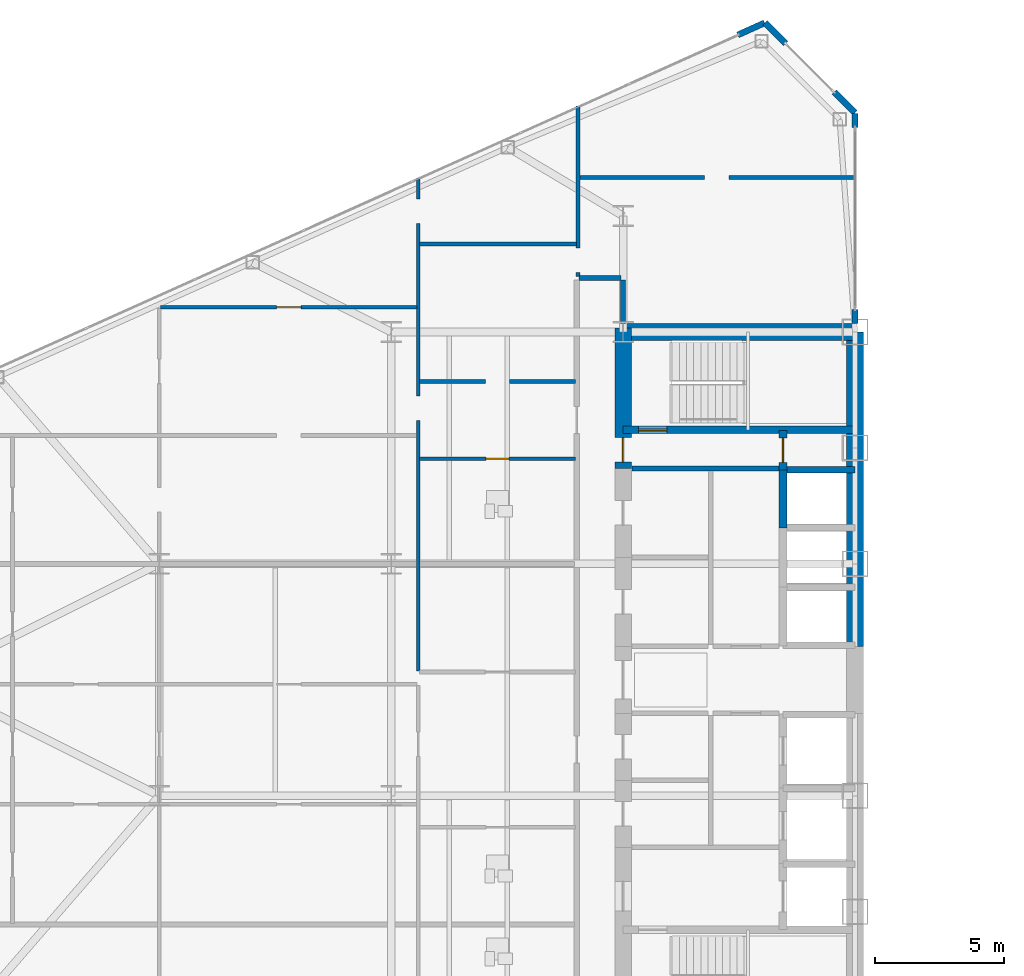
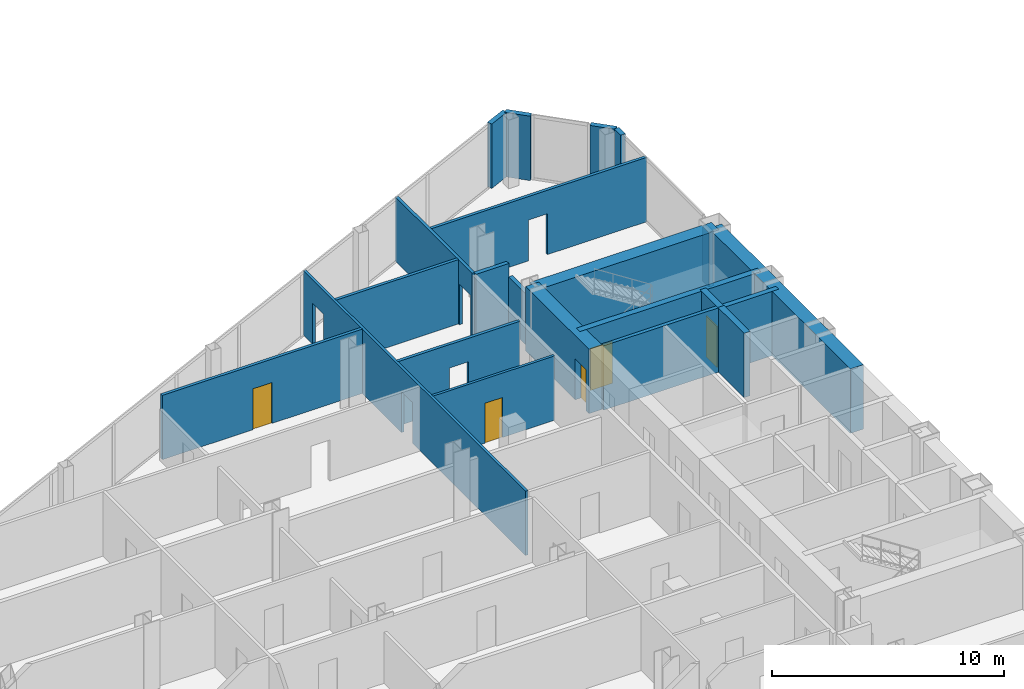
# One storey, part 21 of 27: 22 walls, 5 doors, 10 openings.
"""IFC4 building model written with IfcOpenShell, lengths in metres."""

from ifc_helpers import new_model, si_unit, direction, frame, frame_2d, origin, place, context, subcontext, project, spatial, rectangle, extrude, source, transform, mapped, material, layer, layer_set, type_object, type_shapes, element, fill, save


model = new_model("IFC4")

# Units and contexts
model_context = context("Model", 3, precision=1e-05, world=origin(), true_north=direction((0.0, 1.0)))
body_context = subcontext(model_context, "Body", "Model", "MODEL_VIEW")
ifc_project = project(units=[si_unit("LENGTHUNIT", "METRE"), si_unit("AREAUNIT", "SQUARE_METRE"), si_unit("VOLUMEUNIT", "CUBIC_METRE"), si_unit("PLANEANGLEUNIT", "RADIAN"), si_unit("MASSUNIT", "GRAM", prefix="KILO")], contexts=[model_context])

# Site, building, storey
site_placement = place(None, origin())
site = spatial("IfcSite", under=ifc_project, at=site_placement, CompositionType="ELEMENT")
building_placement = place(site_placement, origin())
building = spatial("IfcBuilding", under=site, at=building_placement, Name="Seokmaru Belvedere", CompositionType="ELEMENT")
storey_placement = place(building_placement, frame((0.0, 0.0, 72.89990234375)))
storey = spatial("IfcBuildingStorey", under=building, at=storey_placement, Name="L19", CompositionType="ELEMENT", Elevation=72.89990234375)

# Wall, opening
ifc_material_1 = material(Name="Fire-Rated Gypsum Shaftwall")
ifc_layer_1 = layer(ifc_material_1, 0.14990234375)
ifc_layer_set_1 = layer_set([ifc_layer_1], Name="Fire-Rated Gypsum Shaftwall")
wall_type_1 = type_object("IfcWallType", Name="Apartment Fire-Acoustic Room Partition 150", PredefinedType="PARTITIONING", material=ifc_layer_set_1)
wall_1_placement = place(storey_placement, frame((-44.39990234375, 11.580078125, 0.0), z_axis=(0.0, 0.0, 1.0), x_axis=(1.0, 0.0, 0.0)))
wall_1 = element("IfcWall", 1, at=wall_1_placement, inside=storey, type_object=wall_type_1, Name="L19 Interior Partition 023", PredefinedType="PARTITIONING", context=body_context, shape_type="SweptSolid", body=[
    extrude(rectangle(XDim=6.0498046875, YDim=0.14990234375, at=frame_2d((3.02490234375, 0.0))), origin(), (0.0, 0.0, 1.0), 3.380126953125),
])
opening_1_placement = place(wall_1_placement, frame((2.550048828125, 0.0, 0.0)))
element("IfcOpeningElement", 2, at=opening_1_placement, cuts=wall_1, Name="L19 Cased Opening 023", PredefinedType="OPENING", context=body_context, shape_type="SweptSolid", body=[
    extrude(rectangle(XDim=0.949951171875, YDim=2.14990234375, at=frame_2d((0.47509765625, 1.074951171875))), frame((0.0, 0.0849609375, 0.0), z_axis=(0.0, -1.0, 0.0), x_axis=(1.0, 0.0, 0.0)), (0.0, 0.0, 1.0), 0.169921875),
])

# Wall, opening, door
wall_2_placement = place(storey_placement, frame((-54.449951171875, 14.4599609375, 0.0), z_axis=(0.0, 0.0, 1.0), x_axis=(1.0, 0.0, 0.0)))
wall_2 = element("IfcWall", 3, at=wall_2_placement, inside=storey, type_object=wall_type_1, Name="L19 Interior Partition 025", PredefinedType="PARTITIONING", context=body_context, shape_type="SweptSolid", body=[
    extrude(rectangle(XDim=9.949951171875, YDim=0.14990234375, at=frame_2d((4.97509765625, 0.0))), origin(), (0.0, 0.0, 1.0), 3.380126953125),
])
opening_2_placement = place(wall_2_placement, frame((4.5, 0.0, 0.0)))
opening_2 = element("IfcOpeningElement", 4, at=opening_2_placement, cuts=wall_2, Name="Opening D05", PredefinedType="OPENING", context=body_context, shape_type="SweptSolid", body=[
    extrude(rectangle(XDim=0.949951171875, YDim=2.14990234375, at=frame_2d((0.47509765625, 1.074951171875))), frame((0.0, 0.0849609375, 0.0), z_axis=(0.0, -1.0, 0.0), x_axis=(1.0, 0.0, 0.0)), (0.0, 0.0, 1.0), 0.169921875),
])
ifc_material_2 = material(Name="Engineered White Oak Timber", Category="wood")
door_type_1 = type_object("IfcDoorType", Name="Apartment Interior Fire-Rated Oak Door 950x2150", OperationType="NOTDEFINED", PredefinedType="DOOR", material=ifc_material_2)
shared_shape_1 = source(origin(), body_context, "Body", "SweptSolid", [
    extrude(rectangle(XDim=0.949951171875, YDim=2.14990234375, at=frame_2d((0.47509765625, 1.074951171875))), frame((0.0, 0.02490234375, 0.0), z_axis=(0.0, -1.0, 0.0), x_axis=(1.0, 0.0, 0.0)), (0.0, 0.0, 1.0), 0.050048828125),
])
type_shapes(door_type_1, [shared_shape_1])
door_1_placement = place(opening_2_placement, origin())
door_1 = element("IfcDoor", 5, at=door_1_placement, inside=storey, type_object=door_type_1, Name="L19 Interior Door 027", OperationType="SINGLE_SWING_RIGHT", OverallHeight=2.14990234375, OverallWidth=0.949951171875, PredefinedType="DOOR", context=body_context, shape_type="MappedRepresentation", body=[
    mapped(shared_shape_1, transform((0.0, 0.0, 0.0), scale=1.0)),
])
fill(opening_2, door_1)

# Wall
wall_3_placement = place(storey_placement, frame((-44.39990234375, 16.909912109375, 0.0), z_axis=(0.0, 0.0, 1.0), x_axis=(1.0, 0.0, 0.0)))
element("IfcWall", 6, at=wall_3_placement, inside=storey, type_object=wall_type_1, Name="L19 Interior Partition 030", PredefinedType="PARTITIONING", context=body_context, shape_type="SweptSolid", body=[
    extrude(rectangle(XDim=6.099853515625, YDim=0.14990234375, at=frame_2d((3.0498046875, 0.0))), origin(), (0.0, 0.0, 1.0), 3.380126953125),
])

# Wall, opening
wall_4_placement = place(storey_placement, frame((-38.199951171875, 19.5, 0.0), z_axis=(0.0, 0.0, 1.0), x_axis=(1.0, 0.0, 0.0)))
wall_4 = element("IfcWall", 7, at=wall_4_placement, inside=storey, type_object=wall_type_1, Name="L19 Interior Partition 031", PredefinedType="PARTITIONING", context=body_context, shape_type="SweptSolid", body=[
    extrude(rectangle(XDim=10.73486328125, YDim=0.14990234375, at=frame_2d((5.367431640625, 0.0))), origin(), (0.0, 0.0, 1.0), 3.380126953125),
])
opening_3_placement = place(wall_4_placement, frame((4.85009765625, 0.0, 0.0)))
element("IfcOpeningElement", 8, at=opening_3_placement, cuts=wall_4, Name="L19 Cased Opening 032", PredefinedType="OPENING", context=body_context, shape_type="SweptSolid", body=[
    extrude(rectangle(XDim=0.949951171875, YDim=2.14990234375, at=frame_2d((0.47509765625, 1.074951171875))), frame((0.0, 0.0849609375, 0.0), z_axis=(0.0, -1.0, 0.0), x_axis=(1.0, 0.0, 0.0)), (0.0, 0.0, 1.0), 0.169921875),
])

wall_5_placement = place(storey_placement, frame((-38.25, 15.64990234375, 0.0), z_axis=(0.0, 0.0, 1.0), x_axis=(0.0, 1.0, 0.0)))
wall_5 = element("IfcWall", 9, at=wall_5_placement, inside=storey, type_object=wall_type_1, Name="L19 Interior Partition 040", PredefinedType="PARTITIONING", context=body_context, shape_type="SweptSolid", body=[
    extrude(rectangle(XDim=6.623046875, YDim=0.14990234375, at=frame_2d((3.3115234375, 0.0))), origin(), (0.0, 0.0, 1.0), 3.380126953125),
])
opening_4_placement = place(wall_5_placement, frame((0.159912109375, 0.0, 0.0)))
element("IfcOpeningElement", 10, at=opening_4_placement, cuts=wall_5, Name="L19 Cased Opening 031", PredefinedType="OPENING", context=body_context, shape_type="SweptSolid", body=[
    extrude(rectangle(XDim=0.949951171875, YDim=2.14990234375, at=frame_2d((0.47509765625, 1.074951171875))), frame((0.0, 0.0849609375, 0.0), z_axis=(0.0, -1.0, 0.0), x_axis=(1.0, 0.0, 0.0)), (0.0, 0.0, 1.0), 0.169921875),
])

# Walls
ifc_layer_2 = layer(ifc_material_1, 0.179931640625)
ifc_layer_set_2 = layer_set([ifc_layer_2], Name="Fire-Rated Gypsum Shaftwall")
wall_type_2 = type_object("IfcWallType", Name="Core Service Fire Partition 180", PredefinedType="PARTITIONING", material=ifc_layer_set_2)
wall_6_placement = place(storey_placement, frame((-36.14990234375, 8.199951171875, 0.0), z_axis=(0.0, 0.0, 1.0), x_axis=(1.0, 0.0, 0.0)))
element("IfcWall", 11, at=wall_6_placement, inside=storey, type_object=wall_type_2, Name="L19 West Smokeproof Vestibule Partition", PredefinedType="PARTITIONING", context=body_context, shape_type="SweptSolid", body=[
    extrude(rectangle(XDim=5.699951171875, YDim=0.179931640625, at=frame_2d((2.85009765625, 0.0))), origin(), (0.0, 0.0, 1.0), 3.380126953125),
])
ifc_material_3 = material(Name="Concrete C50 (50 MPa)", Category="concrete")
ifc_layer_3 = layer(ifc_material_3, 0.25)
ifc_layer_set_3 = layer_set([ifc_layer_3], Name="Concrete C50 (50 MPa)")
wall_type_3 = type_object("IfcWallType", Name="Hoistway Transverse Concrete Divider Wall 250", PredefinedType="SHEAR", material=ifc_layer_set_3)
wall_7_placement = place(storey_placement, frame((-30.300048828125, 8.14990234375, 0.0), z_axis=(0.0, 0.0, 1.0), x_axis=(1.0, 0.0, 0.0)))
element("IfcWall", 12, at=wall_7_placement, inside=storey, type_object=wall_type_3, Name="L19 West Hoistway Divider Core Wall 7", PredefinedType="SHEAR", context=body_context, shape_type="SweptSolid", body=[
    extrude(rectangle(XDim=2.800048828125, YDim=0.25, at=frame_2d((1.39990234375, 0.0))), origin(), (0.0, 0.0, 1.0), 3.380126953125),
])
ifc_layer_4 = layer(ifc_material_1, 0.199951171875)
ifc_layer_set_4 = layer_set([ifc_layer_4], Name="Fire-Rated Gypsum Shaftwall")
wall_type_4 = type_object("IfcWallType", Name="Inter-Tenancy Fire Compartment Partition 200", PredefinedType="PARTITIONING", material=ifc_layer_set_4)
wall_8_placement = place(storey_placement, frame((-38.215087890625, 15.60009765625, 0.0), z_axis=(0.0, 0.0, 1.0), x_axis=(1.0, 0.0, 0.0)))
element("IfcWall", 13, at=wall_8_placement, inside=storey, type_object=wall_type_4, Name="L19 Interior Partition 027", PredefinedType="PARTITIONING", context=body_context, shape_type="SweptSolid", body=[
    extrude(rectangle(XDim=1.630126953125, YDim=0.199951171875, at=frame_2d((0.81494140625, 0.0))), origin(), (0.0, 0.0, 1.0), 3.380126953125),
])
wall_9_placement = place(storey_placement, frame((-36.5, 13.830078125, 0.0), z_axis=(0.0, 0.0, 1.0), x_axis=(0.0, 1.0, 0.0)))
element("IfcWall", 14, at=wall_9_placement, inside=storey, type_object=wall_type_4, Name="L19 Interior Partition 042", PredefinedType="PARTITIONING", context=body_context, shape_type="SweptSolid", body=[
    extrude(rectangle(XDim=1.684814453125, YDim=0.199951171875, at=frame_2d((0.84228515625, 0.0))), origin(), (0.0, 0.0, 1.0), 2.68017578125),
])

# Wall, opening, door
ifc_layer_5 = layer(ifc_material_3, 0.300048828125)
ifc_layer_set_5 = layer_set([ifc_layer_5], Name="Concrete C50 (50 MPa)")
wall_type_5 = type_object("IfcWallType", Name="Internal Core Stair and Hoistway Wall 300", PredefinedType="SHEAR", material=ifc_layer_set_5)
wall_10_placement = place(storey_placement, frame((-36.5, 9.699951171875, 0.0), z_axis=(0.0, 0.0, 1.0), x_axis=(1.0, 0.0, 0.0)))
wall_10 = element("IfcWall", 15, at=wall_10_placement, inside=storey, type_object=wall_type_5, Name="L19 West Stair ST-2 Enclosure Wall", PredefinedType="SHEAR", context=body_context, shape_type="SweptSolid", body=[
    extrude(rectangle(XDim=9.0, YDim=0.300048828125, at=frame_2d((4.5, 0.0))), origin(), (0.0, 0.0, 1.0), 3.380126953125),
])
opening_5_placement = place(wall_10_placement, frame((0.60009765625, 0.0, 0.0)))
opening_5 = element("IfcOpeningElement", 16, at=opening_5_placement, cuts=wall_10, Name="Opening D01", PredefinedType="OPENING", context=body_context, shape_type="SweptSolid", body=[
    extrude(rectangle(XDim=1.10009765625, YDim=2.199951171875, at=frame_2d((0.550048828125, 1.10009765625))), frame((0.0, 0.16015625, 0.0), z_axis=(0.0, -1.0, 0.0), x_axis=(1.0, 0.0, 0.0)), (0.0, 0.0, 1.0), 0.320068359375),
])
ifc_material_4 = material(Name="Fire-Rated Steel Leaf", Category="steel")
door_type_2 = type_object("IfcDoorType", Name="Special Escape Stair Smokeproof Fire Door 1100x2200", OperationType="NOTDEFINED", PredefinedType="DOOR", material=ifc_material_4)
shared_shape_2 = source(origin(), body_context, "Body", "SweptSolid", [
    extrude(rectangle(XDim=1.10009765625, YDim=2.199951171875, at=frame_2d((0.550048828125, 1.10009765625))), frame((0.0, 0.02490234375, 0.0), z_axis=(0.0, -1.0, 0.0), x_axis=(1.0, 0.0, 0.0)), (0.0, 0.0, 1.0), 0.050048828125),
])
type_shapes(door_type_2, [shared_shape_2])
door_2_placement = place(opening_5_placement, origin())
door_2 = element("IfcDoor", 17, at=door_2_placement, inside=storey, type_object=door_type_2, Name="L19 West Special Escape Stair ST-2 Door", OperationType="SINGLE_SWING_RIGHT", OverallHeight=2.199951171875, OverallWidth=1.10009765625, PredefinedType="DOOR", context=body_context, shape_type="MappedRepresentation", body=[
    mapped(shared_shape_2, transform((0.0, 0.0, 0.0), scale=1.0)),
])
fill(opening_5, door_2)

# Wall
wall_11_placement = place(storey_placement, frame((-30.300048828125, 5.89990234375, 0.0), z_axis=(0.0, 0.0, 1.0), x_axis=(0.0, 1.0, 0.0)))
element("IfcWall", 18, at=wall_11_placement, inside=storey, type_object=wall_type_5, Name="L19 West North Hoistway Wall OBS", PredefinedType="SHEAR", context=body_context, shape_type="SweptSolid", body=[
    extrude(rectangle(XDim=2.25, YDim=0.300048828125, at=frame_2d((1.125, 0.0))), origin(), (0.0, 0.0, 1.0), 3.380126953125),
])

# Wall, opening, door
wall_12_placement = place(storey_placement, frame((-30.300048828125, 8.14990234375, 0.0), z_axis=(0.0, 0.0, 1.0), x_axis=(0.0, 1.0, 0.0)))
wall_12 = element("IfcWall", 19, at=wall_12_placement, inside=storey, type_object=wall_type_5, Name="L19 West Electrical Riser Front Wall", PredefinedType="SHEAR", context=body_context, shape_type="SweptSolid", body=[
    extrude(rectangle(XDim=1.530029296875, YDim=0.300048828125, at=frame_2d((0.76513671875, 0.0))), origin(), (0.0, 0.0, 1.0), 3.380126953125),
])
opening_6_placement = place(wall_12_placement, frame((0.284912109375, 0.0, 0.0)))
opening_6 = element("IfcOpeningElement", 20, at=opening_6_placement, cuts=wall_12, Name="Opening D04", PredefinedType="OPENING", context=body_context, shape_type="SweptSolid", body=[
    extrude(rectangle(XDim=0.949951171875, YDim=2.14990234375, at=frame_2d((0.47509765625, 1.074951171875))), frame((0.0, 0.16015625, 0.0), z_axis=(0.0, -1.0, 0.0), x_axis=(1.0, 0.0, 0.0)), (0.0, 0.0, 1.0), 0.320068359375),
])
door_type_3 = type_object("IfcDoorType", Name="Core Service Room Fire Door 950x2150", OperationType="NOTDEFINED", PredefinedType="DOOR", material=ifc_material_4)
shared_shape_3 = source(origin(), body_context, "Body", "SweptSolid", [
    extrude(rectangle(XDim=0.949951171875, YDim=2.14990234375, at=frame_2d((0.47509765625, 1.074951171875))), frame((0.0, 0.02490234375, 0.0), z_axis=(0.0, -1.0, 0.0), x_axis=(1.0, 0.0, 0.0)), (0.0, 0.0, 1.0), 0.050048828125),
])
type_shapes(door_type_3, [shared_shape_3])
door_3_placement = place(opening_6_placement, origin())
door_3 = element("IfcDoor", 21, at=door_3_placement, inside=storey, type_object=door_type_3, Name="L19 West Electrical Riser Access Door", OperationType="SINGLE_SWING_LEFT", OverallHeight=2.14990234375, OverallWidth=0.949951171875, PredefinedType="DOOR", context=body_context, shape_type="MappedRepresentation", body=[
    mapped(shared_shape_3, transform((0.0, 0.0, 0.0), scale=1.0)),
])
fill(opening_6, door_3)

# Walls
ifc_material_5 = material(Name="Concrete C60 (60 MPa)", Category="concrete")
ifc_layer_6 = layer(ifc_material_5, 0.64990234375)
ifc_layer_set_6 = layer_set([ifc_layer_6], Name="Concrete C60 (60 MPa)")
wall_type_6 = type_object("IfcWallType", Name="Mid-Low Reinforced Concrete Core Wall 650", PredefinedType="SHEAR", material=ifc_layer_set_6)
wall_13_placement = place(storey_placement, frame((-27.5, 1.300048828125, 0.0), z_axis=(0.0, 0.0, 1.0), x_axis=(0.0, 1.0, 0.0)))
element("IfcWall", 22, at=wall_13_placement, inside=storey, type_object=wall_type_6, Name="L19 West Portal Spine Core Wall North", PredefinedType="SHEAR", context=body_context, shape_type="SweptSolid", body=[
    extrude(rectangle(XDim=12.199951171875, YDim=0.64990234375, at=frame_2d((6.10009765625, 0.0))), origin(), (0.0, 0.0, 1.0), 3.380126953125),
])
wall_14_placement = place(storey_placement, frame((-36.5, 13.5, 0.0), z_axis=(0.0, 0.0, 1.0), x_axis=(1.0, 0.0, 0.0)))
element("IfcWall", 23, at=wall_14_placement, inside=storey, type_object=wall_type_6, Name="L19 West North Core Wall", PredefinedType="SHEAR", context=body_context, shape_type="SweptSolid", body=[
    extrude(rectangle(XDim=9.0, YDim=0.64990234375, at=frame_2d((4.5, 0.0))), origin(), (0.0, 0.0, 1.0), 3.380126953125),
])

# Wall, opening, door
wall_15_placement = place(storey_placement, frame((-36.5, 8.199951171875, 0.0), z_axis=(0.0, 0.0, 1.0), x_axis=(0.0, 1.0, 0.0)))
wall_15 = element("IfcWall", 24, at=wall_15_placement, inside=storey, type_object=wall_type_6, Name="L19 West West Core Wall VST", PredefinedType="SHEAR", context=body_context, shape_type="SweptSolid", body=[
    extrude(rectangle(XDim=5.449951171875, YDim=0.64990234375, at=frame_2d((2.72509765625, 0.0))), origin(), (0.0, 0.0, 1.0), 3.380126953125),
])
opening_7_placement = place(wall_15_placement, frame((0.2451171875, 0.0, 0.0)))
opening_7 = element("IfcOpeningElement", 25, at=opening_7_placement, cuts=wall_15, Name="Opening D04", PredefinedType="OPENING", context=body_context, shape_type="SweptSolid", body=[
    extrude(rectangle(XDim=0.949951171875, YDim=2.14990234375, at=frame_2d((0.47509765625, 1.074951171875))), frame((0.0, 0.3349609375, 0.0), z_axis=(0.0, -1.0, 0.0), x_axis=(1.0, 0.0, 0.0)), (0.0, 0.0, 1.0), 0.669921875),
])
door_4_placement = place(opening_7_placement, frame((0.949951171875, 0.0, 0.0), z_axis=(0.0, 0.0, 1.0), x_axis=(-1.0, 0.0, 0.0)))
door_4 = element("IfcDoor", 26, at=door_4_placement, inside=storey, type_object=door_type_3, Name="L19 West Smokeproof Vestibule Door", OperationType="SINGLE_SWING_RIGHT", OverallHeight=2.14990234375, OverallWidth=0.949951171875, PredefinedType="DOOR", context=body_context, shape_type="MappedRepresentation", body=[
    mapped(shared_shape_3, transform((0.0, 0.0, 0.0), scale=1.0)),
])
fill(opening_7, door_4)

ifc_layer_7 = layer(ifc_material_1, 0.1298828125)
ifc_layer_set_7 = layer_set([ifc_layer_7], Name="Fire-Rated Gypsum Shaftwall")
wall_type_7 = type_object("IfcWallType", Name="Moisture-Resistant Fire-Rated Bathroom Partition 130", PredefinedType="PARTITIONING", material=ifc_layer_set_7)
wall_16_placement = place(storey_placement, frame((-44.39990234375, 8.580078125, 0.0), z_axis=(0.0, 0.0, 1.0), x_axis=(1.0, 0.0, 0.0)))
wall_16 = element("IfcWall", 27, at=wall_16_placement, inside=storey, type_object=wall_type_7, Name="L19 Interior Partition 019", PredefinedType="PARTITIONING", context=body_context, shape_type="SweptSolid", body=[
    extrude(rectangle(XDim=6.0498046875, YDim=0.1298828125, at=frame_2d((3.02490234375, 0.0))), origin(), (0.0, 0.0, 1.0), 3.380126953125),
])
opening_8_placement = place(wall_16_placement, frame((2.5849609375, 0.0, 0.0)))
opening_8 = element("IfcOpeningElement", 28, at=opening_8_placement, cuts=wall_16, Name="Opening D06", PredefinedType="OPENING", context=body_context, shape_type="SweptSolid", body=[
    extrude(rectangle(XDim=0.8798828125, YDim=2.10009765625, at=frame_2d((0.43994140625, 1.050048828125))), frame((0.0, 0.074951171875, 0.0), z_axis=(0.0, -1.0, 0.0), x_axis=(1.0, 0.0, 0.0)), (0.0, 0.0, 1.0), 0.14990234375),
])
door_type_4 = type_object("IfcDoorType", Name="Bathroom and Restroom Fire-Rated Door 880x2100", OperationType="NOTDEFINED", PredefinedType="DOOR", material=ifc_material_2)
shared_shape_4 = source(origin(), body_context, "Body", "SweptSolid", [
    extrude(rectangle(XDim=0.8798828125, YDim=2.10009765625, at=frame_2d((0.43994140625, 1.050048828125))), frame((0.0, 0.02490234375, 0.0), z_axis=(0.0, -1.0, 0.0), x_axis=(1.0, 0.0, 0.0)), (0.0, 0.0, 1.0), 0.050048828125),
])
type_shapes(door_type_4, [shared_shape_4])
door_5_placement = place(opening_8_placement, origin())
door_5 = element("IfcDoor", 29, at=door_5_placement, inside=storey, type_object=door_type_4, Name="L19 Interior Door 022", OperationType="SINGLE_SWING_LEFT", OverallHeight=2.10009765625, OverallWidth=0.8798828125, PredefinedType="DOOR", context=body_context, shape_type="MappedRepresentation", body=[
    mapped(shared_shape_4, transform((0.0, 0.0, 0.0), scale=1.0)),
])
fill(opening_8, door_5)

# Wall, openings
wall_17_placement = place(storey_placement, frame((-44.449951171875, 0.35205078125, 0.0), z_axis=(0.0, 0.0, 1.0), x_axis=(0.0, 1.0, 0.0)))
wall_17 = element("IfcWall", 30, at=wall_17_placement, inside=storey, type_object=wall_type_7, Name="L19 Interior Partition 037", PredefinedType="PARTITIONING", context=body_context, shape_type="SweptSolid", body=[
    extrude(rectangle(XDim=19.130859375, YDim=0.1298828125, at=frame_2d((9.5654296875, 0.0))), origin(), (0.0, 0.0, 1.0), 3.380126953125),
])
opening_9_placement = place(wall_17_placement, frame((9.702880859375, 0.0, 0.0)))
element("IfcOpeningElement", 31, at=opening_9_placement, cuts=wall_17, Name="L19 Cased Opening 024", PredefinedType="OPENING", context=body_context, shape_type="SweptSolid", body=[
    extrude(rectangle(XDim=0.949951171875, YDim=2.14990234375, at=frame_2d((0.47509765625, 1.074951171875))), frame((0.0, 0.074951171875, 0.0), z_axis=(0.0, -1.0, 0.0), x_axis=(1.0, 0.0, 0.0)), (0.0, 0.0, 1.0), 0.14990234375),
])
opening_10_placement = place(wall_17_placement, frame((17.3505859375, 0.0, 0.0)))
element("IfcOpeningElement", 32, at=opening_10_placement, cuts=wall_17, Name="L19 Cased Opening 030", PredefinedType="OPENING", context=body_context, shape_type="SweptSolid", body=[
    extrude(rectangle(XDim=0.949951171875, YDim=2.14990234375, at=frame_2d((0.47509765625, 1.074951171875))), frame((0.0, 0.074951171875, 0.0), z_axis=(0.0, -1.0, 0.0), x_axis=(1.0, 0.0, 0.0)), (0.0, 0.0, 1.0), 0.14990234375),
])

# Walls
ifc_material_6 = material(Name="Anodised Bronze Aluminium", Category="aluminium")
ifc_layer_8 = layer(ifc_material_6, 0.239990234375)
ifc_layer_set_8 = layer_set([ifc_layer_8], Name="Anodised Bronze Aluminium")
wall_type_8 = type_object("IfcWallType", Name="Tower Corner Spandrel Closure Wall 240", PredefinedType="SOLIDWALL", material=ifc_layer_set_8)
wall_18_placement = place(storey_placement, frame((-27.5, 13.830078125, 0.0), z_axis=(0.0, 0.0, 1.0), x_axis=(0.0, 1.0, 0.0)))
element("IfcWall", 33, at=wall_18_placement, inside=storey, type_object=wall_type_8, Name="L19 W Spine Closure Pier 2A", PredefinedType="SOLIDWALL", context=body_context, shape_type="SweptSolid", body=[
    extrude(rectangle(XDim=0.5498046875, YDim=0.239990234375, at=frame_2d((0.27490234375, 0.0))), origin(), (0.0, 0.0, 1.0), 2.880126953125),
])
wall_19_placement = place(storey_placement, frame((-27.5, 21.429931640625, 0.0), z_axis=(0.0, 0.0, 1.0), x_axis=(0.0, 1.0, 0.0)))
element("IfcWall", 34, at=wall_19_placement, inside=storey, type_object=wall_type_8, Name="L19 W Spine Closure Pier 2B", PredefinedType="SOLIDWALL", context=body_context, shape_type="SweptSolid", body=[
    extrude(rectangle(XDim=0.550048828125, YDim=0.239990234375, at=frame_2d((0.27490234375, 0.0))), origin(), (0.0, 0.0, 1.0), 3.380126953125),
])
for number, where, z_axis, x_axis, name in (
    (35, (-27.507080078125, 22.007080078125, 0.0), (0.0, 0.0, 1.0), (-0.707106781187, 0.707106781187, 0.0), "L19 W Corner Closure Pier 2A"),
    (36, (-30.186767578125, 24.686767578125, 0.0), (0.0, 0.0, 1.0), (-0.707106781187, 0.707106781187, 0.0), "L19 W Corner Closure Pier 2B"),
):
    element("IfcWall", number, at=place(storey_placement, frame(where, z_axis=z_axis, x_axis=x_axis)), inside=storey, type_object=wall_type_8, Name=name, PredefinedType="SOLIDWALL", context=body_context, shape_type="SweptSolid", body=[
        extrude(rectangle(XDim=1.14013671875, YDim=0.239990234375, at=frame_2d((0.570068359375, 0.0))), origin(), (0.0, 0.0, 1.0), 3.380126953125),
    ])
wall_20_placement = place(storey_placement, frame((-31.009033203125, 25.495849609375, 0.0), z_axis=(0.0, 0.0, 1.0), x_axis=(-0.911929519623, -0.410346866979, 0.0)))
element("IfcWall", 37, at=wall_20_placement, inside=storey, type_object=wall_type_8, Name="L19 W Corner Closure Pier 3A", PredefinedType="SOLIDWALL", context=body_context, shape_type="SweptSolid", body=[
    extrude(rectangle(XDim=1.139892578125, YDim=0.239990234375, at=frame_2d((0.56982421875, 0.0))), origin(), (0.0, 0.0, 1.0), 3.380126953125),
])

save(model, "model.ifc")
